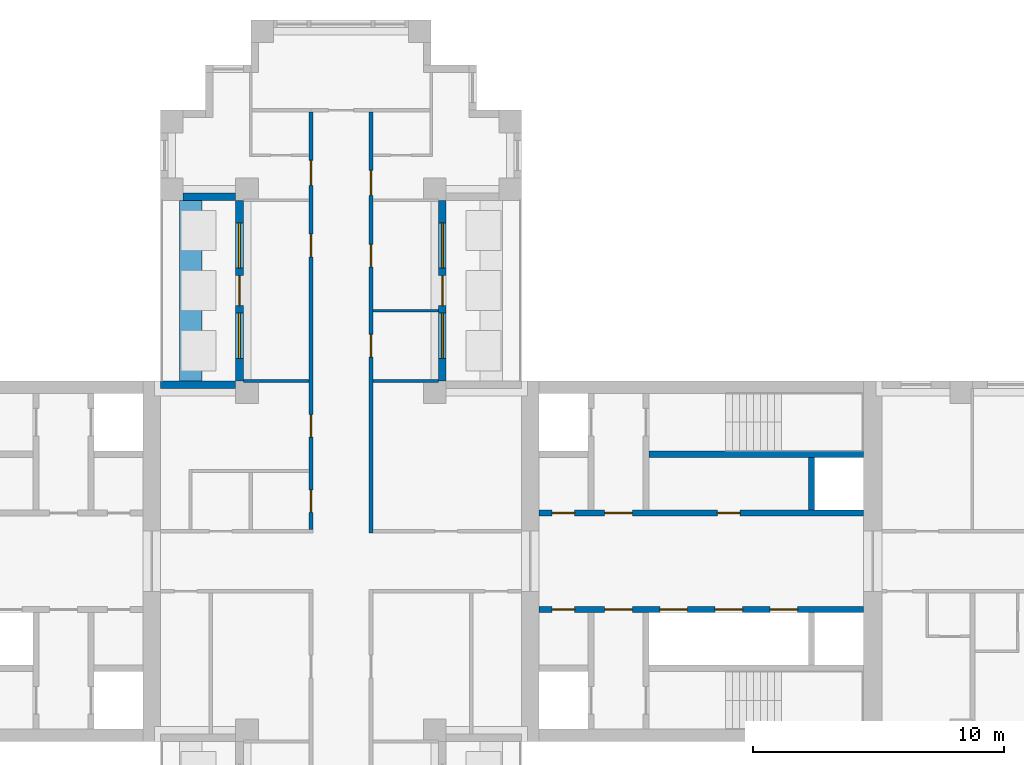
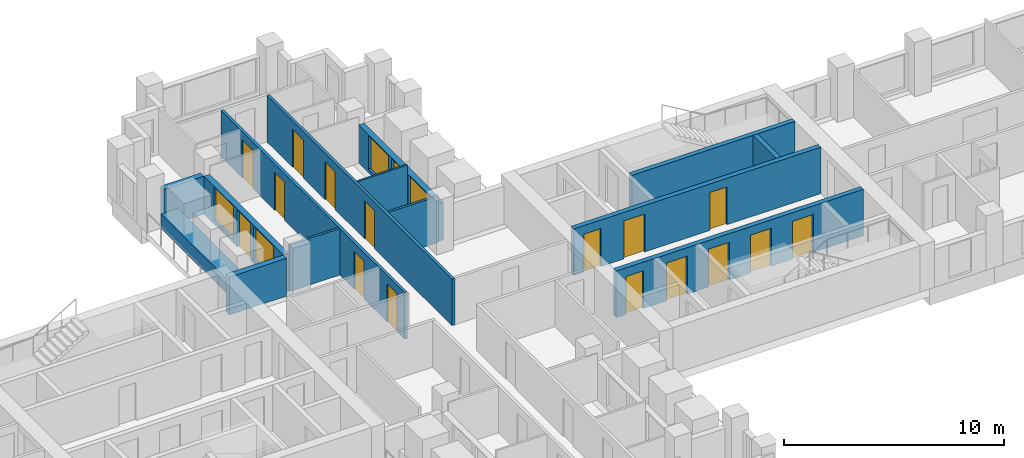
# One storey, part 9 of 14: 17 doors, 14 walls, 4 windows, 21 openings.
"""IFC4 building model written with IfcOpenShell, lengths in metres."""

from ifc_helpers import new_model, si_unit, direction, frame, frame_2d, origin, place, context, subcontext, project, spatial, rectangle, extrude, material, layer, layer_set, type_object, element, fill, save


model = new_model("IFC4")

# Units and contexts
model_context = context("Model", 3, precision=1e-05, world=origin(), true_north=direction((0.0, 1.0)))
body_context = subcontext(model_context, "Body", "Model", "MODEL_VIEW")
ifc_project = project(units=[si_unit("LENGTHUNIT", "METRE"), si_unit("AREAUNIT", "SQUARE_METRE"), si_unit("VOLUMEUNIT", "CUBIC_METRE"), si_unit("PLANEANGLEUNIT", "RADIAN"), si_unit("MASSUNIT", "GRAM", prefix="KILO")], contexts=[model_context])

# Site, building, storey
site_placement = place(None, origin())
site = spatial("IfcSite", under=ifc_project, at=site_placement, CompositionType="ELEMENT")
building_placement = place(site_placement, origin())
building = spatial("IfcBuilding", under=site, at=building_placement, Name="Fustian Cross Tower", CompositionType="ELEMENT")
storey_placement = place(building_placement, frame((0.0, 0.0, 72.89990234375)))
storey = spatial("IfcBuildingStorey", under=building, at=storey_placement, Name="L22", CompositionType="ELEMENT", Elevation=72.89990234375)

# Wall, openings, doors
ifc_material_1 = material(Name="Plasterboard on steel stud", Category="steel")
ifc_layer_1 = layer(ifc_material_1, 0.14990234375)
ifc_layer_set_1 = layer_set([ifc_layer_1], Name="Plasterboard on steel stud")
wall_type_1 = type_object("IfcWallType", Name="COMPARTMENT WALL 150 EI 60", PredefinedType="PARTITIONING", material=ifc_layer_set_1)
wall_1_placement = place(storey_placement, frame((-1.199951171875, 1.27490234375, 0.0), z_axis=(0.0, 0.0, 1.0), x_axis=(0.0, 1.0, 0.0)))
wall_1 = element("IfcWall", 1, at=wall_1_placement, inside=storey, type_object=wall_type_1, Name="Partition 50", PredefinedType="PARTITIONING", context=body_context, shape_type="SweptSolid", body=[
    extrude(rectangle(XDim=16.650146484375, YDim=0.14990234375, at=frame_2d((8.3251953125, 0.0))), origin(), (0.0, 0.0, 1.0), 2.5751953125),
])
opening_1_placement = place(wall_1_placement, frame((0.675048828125, 0.0, 0.0)))
opening_1 = element("IfcOpeningElement", 2, at=opening_1_placement, cuts=wall_1, Name="Opening D11002", PredefinedType="OPENING", context=body_context, shape_type="SweptSolid", body=[
    extrude(rectangle(XDim=0.89990234375, YDim=2.10009765625, at=frame_2d((0.449951171875, 1.050048828125))), frame((0.0, 0.0849609375, 0.0), z_axis=(0.0, -1.0, 0.0), x_axis=(1.0, 0.0, 0.0)), (0.0, 0.0, 1.0), 0.169921875),
])
opening_2_placement = place(wall_1_placement, frame((3.675048828125, 0.0, 0.0)))
opening_2 = element("IfcOpeningElement", 3, at=opening_2_placement, cuts=wall_1, Name="Opening D11004", PredefinedType="OPENING", context=body_context, shape_type="SweptSolid", body=[
    extrude(rectangle(XDim=0.89990234375, YDim=2.10009765625, at=frame_2d((0.449951171875, 1.050048828125))), frame((0.0, 0.0849609375, 0.0), z_axis=(0.0, -1.0, 0.0), x_axis=(1.0, 0.0, 0.0)), (0.0, 0.0, 1.0), 0.169921875),
])
opening_3_placement = place(wall_1_placement, frame((10.875, 0.0, 0.0)))
opening_3 = element("IfcOpeningElement", 4, at=opening_3_placement, cuts=wall_1, Name="Opening D11018", PredefinedType="OPENING", context=body_context, shape_type="SweptSolid", body=[
    extrude(rectangle(XDim=0.89990234375, YDim=2.10009765625, at=frame_2d((0.449951171875, 1.050048828125))), frame((0.0, 0.0849609375, 0.0), z_axis=(0.0, -1.0, 0.0), x_axis=(1.0, 0.0, 0.0)), (0.0, 0.0, 1.0), 0.169921875),
])
opening_4_placement = place(wall_1_placement, frame((13.72509765625, 0.0, 0.0)))
opening_4 = element("IfcOpeningElement", 5, at=opening_4_placement, cuts=wall_1, Name="Opening D11020", PredefinedType="OPENING", context=body_context, shape_type="SweptSolid", body=[
    extrude(rectangle(XDim=1.0, YDim=2.10009765625, at=frame_2d((0.5, 1.050048828125))), frame((0.0, 0.0849609375, 0.0), z_axis=(0.0, -1.0, 0.0), x_axis=(1.0, 0.0, 0.0)), (0.0, 0.0, 1.0), 0.169921875),
])
ifc_material_2 = material(Name="Timber fire door set", Category="wood")
door_type_1 = type_object("IfcDoorType", Name="FIRE SWING DOOR 1000 FD30S", OperationType="SINGLE_SWING_LEFT", PredefinedType="DOOR", material=ifc_material_2)
door_1_placement = place(opening_4_placement, origin())
door_1 = element("IfcDoor", 6, at=door_1_placement, inside=storey, type_object=door_type_1, Name="Door D11020", OperationType="SINGLE_SWING_RIGHT", OverallHeight=2.10009765625, OverallWidth=1.0, PredefinedType="DOOR", context=body_context, shape_type="SweptSolid", body=[
    extrude(rectangle(XDim=1.0, YDim=2.10009765625, at=frame_2d((0.5, 1.050048828125))), frame((0.0, 0.02490234375, 0.0), z_axis=(0.0, -1.0, 0.0), x_axis=(1.0, 0.0, 0.0)), (0.0, 0.0, 1.0), 0.050048828125),
])
fill(opening_4, door_1)
ifc_material_3 = material(Name="Timber fire door set", Category="wood")
door_type_2 = type_object("IfcDoorType", Name="FIRE SWING DOOR 900 FD30S", OperationType="SINGLE_SWING_LEFT", PredefinedType="DOOR", material=ifc_material_3)
door_2_placement = place(opening_1_placement, origin())
door_2 = element("IfcDoor", 7, at=door_2_placement, inside=storey, type_object=door_type_2, Name="Door D11002", OperationType="SINGLE_SWING_LEFT", OverallHeight=2.10009765625, OverallWidth=0.89990234375, PredefinedType="DOOR", context=body_context, shape_type="SweptSolid", body=[
    extrude(rectangle(XDim=0.89990234375, YDim=2.10009765625, at=frame_2d((0.449951171875, 1.050048828125))), frame((0.0, 0.02490234375, 0.0), z_axis=(0.0, -1.0, 0.0), x_axis=(1.0, 0.0, 0.0)), (0.0, 0.0, 1.0), 0.050048828125),
])
fill(opening_1, door_2)
door_3_placement = place(opening_2_placement, origin())
door_3 = element("IfcDoor", 8, at=door_3_placement, inside=storey, type_object=door_type_2, Name="Door D11004", OperationType="SINGLE_SWING_LEFT", OverallHeight=2.10009765625, OverallWidth=0.89990234375, PredefinedType="DOOR", context=body_context, shape_type="SweptSolid", body=[
    extrude(rectangle(XDim=0.89990234375, YDim=2.10009765625, at=frame_2d((0.449951171875, 1.050048828125))), frame((0.0, 0.02490234375, 0.0), z_axis=(0.0, -1.0, 0.0), x_axis=(1.0, 0.0, 0.0)), (0.0, 0.0, 1.0), 0.050048828125),
])
fill(opening_2, door_3)
door_4_placement = place(opening_3_placement, origin())
door_4 = element("IfcDoor", 9, at=door_4_placement, inside=storey, type_object=door_type_2, Name="Door D11018", OperationType="SINGLE_SWING_RIGHT", OverallHeight=2.10009765625, OverallWidth=0.89990234375, PredefinedType="DOOR", context=body_context, shape_type="SweptSolid", body=[
    extrude(rectangle(XDim=0.89990234375, YDim=2.10009765625, at=frame_2d((0.449951171875, 1.050048828125))), frame((0.0, 0.02490234375, 0.0), z_axis=(0.0, -1.0, 0.0), x_axis=(1.0, 0.0, 0.0)), (0.0, 0.0, 1.0), 0.050048828125),
])
fill(opening_3, door_4)

wall_2_placement = place(storey_placement, frame((1.199951171875, 1.125, 0.0), z_axis=(0.0, 0.0, 1.0), x_axis=(0.0, 1.0, 0.0)))
wall_2 = element("IfcWall", 10, at=wall_2_placement, inside=storey, type_object=wall_type_1, Name="Partition 60", PredefinedType="PARTITIONING", context=body_context, shape_type="SweptSolid", body=[
    extrude(rectangle(XDim=16.800048828125, YDim=0.14990234375, at=frame_2d((8.39990234375, 0.0))), origin(), (0.0, 0.0, 1.0), 2.5751953125),
])
opening_5_placement = place(wall_2_placement, frame((7.02490234375, 0.0, 0.0)))
opening_5 = element("IfcOpeningElement", 11, at=opening_5_placement, cuts=wall_2, Name="Opening D11021", PredefinedType="OPENING", context=body_context, shape_type="SweptSolid", body=[
    extrude(rectangle(XDim=0.89990234375, YDim=2.10009765625, at=frame_2d((0.449951171875, 1.050048828125))), frame((0.0, 0.0849609375, 0.0), z_axis=(0.0, -1.0, 0.0), x_axis=(1.0, 0.0, 0.0)), (0.0, 0.0, 1.0), 0.169921875),
])
opening_6_placement = place(wall_2_placement, frame((10.625, 0.0, 0.0)))
opening_6 = element("IfcOpeningElement", 12, at=opening_6_placement, cuts=wall_2, Name="Opening D11022", PredefinedType="OPENING", context=body_context, shape_type="SweptSolid", body=[
    extrude(rectangle(XDim=0.89990234375, YDim=2.10009765625, at=frame_2d((0.449951171875, 1.050048828125))), frame((0.0, 0.0849609375, 0.0), z_axis=(0.0, -1.0, 0.0), x_axis=(1.0, 0.0, 0.0)), (0.0, 0.0, 1.0), 0.169921875),
])
opening_7_placement = place(wall_2_placement, frame((13.47509765625, 0.0, 0.0)))
opening_7 = element("IfcOpeningElement", 13, at=opening_7_placement, cuts=wall_2, Name="Opening D11024", PredefinedType="OPENING", context=body_context, shape_type="SweptSolid", body=[
    extrude(rectangle(XDim=1.0, YDim=2.10009765625, at=frame_2d((0.5, 1.050048828125))), frame((0.0, 0.0849609375, 0.0), z_axis=(0.0, -1.0, 0.0), x_axis=(1.0, 0.0, 0.0)), (0.0, 0.0, 1.0), 0.169921875),
])
door_5_placement = place(opening_7_placement, frame((1.0, 0.0, 0.0), z_axis=(0.0, 0.0, 1.0), x_axis=(-1.0, 0.0, 0.0)))
door_5 = element("IfcDoor", 14, at=door_5_placement, inside=storey, type_object=door_type_1, Name="Door D11024", OperationType="SINGLE_SWING_RIGHT", OverallHeight=2.10009765625, OverallWidth=1.0, PredefinedType="DOOR", context=body_context, shape_type="SweptSolid", body=[
    extrude(rectangle(XDim=1.0, YDim=2.10009765625, at=frame_2d((0.5, 1.050048828125))), frame((0.0, 0.02490234375, 0.0), z_axis=(0.0, -1.0, 0.0), x_axis=(1.0, 0.0, 0.0)), (0.0, 0.0, 1.0), 0.050048828125),
])
fill(opening_7, door_5)
door_6_placement = place(opening_5_placement, frame((0.89990234375, 0.0, 0.0), z_axis=(0.0, 0.0, 1.0), x_axis=(-1.0, 0.0, 0.0)))
door_6 = element("IfcDoor", 15, at=door_6_placement, inside=storey, type_object=door_type_2, Name="Door D11021", OperationType="SINGLE_SWING_RIGHT", OverallHeight=2.10009765625, OverallWidth=0.89990234375, PredefinedType="DOOR", context=body_context, shape_type="SweptSolid", body=[
    extrude(rectangle(XDim=0.89990234375, YDim=2.10009765625, at=frame_2d((0.449951171875, 1.050048828125))), frame((0.0, 0.02490234375, 0.0), z_axis=(0.0, -1.0, 0.0), x_axis=(1.0, 0.0, 0.0)), (0.0, 0.0, 1.0), 0.050048828125),
])
fill(opening_5, door_6)
door_7_placement = place(opening_6_placement, frame((0.89990234375, 0.0, 0.0), z_axis=(0.0, 0.0, 1.0), x_axis=(-1.0, 0.0, 0.0)))
door_7 = element("IfcDoor", 16, at=door_7_placement, inside=storey, type_object=door_type_2, Name="Door D11022", OperationType="SINGLE_SWING_RIGHT", OverallHeight=2.10009765625, OverallWidth=0.89990234375, PredefinedType="DOOR", context=body_context, shape_type="SweptSolid", body=[
    extrude(rectangle(XDim=0.89990234375, YDim=2.10009765625, at=frame_2d((0.449951171875, 1.050048828125))), frame((0.0, 0.02490234375, 0.0), z_axis=(0.0, -1.0, 0.0), x_axis=(1.0, 0.0, 0.0)), (0.0, 0.0, 1.0), 0.050048828125),
])
fill(opening_6, door_7)

ifc_material_4 = material(Name="Concrete C50/60", Category="concrete")
ifc_layer_2 = layer(ifc_material_4, 0.25)
ifc_layer_set_2 = layer_set([ifc_layer_2], Name="Concrete C50/60")
wall_type_2 = type_object("IfcWallType", Name="CORE LOBBY WALL 250 C50/60", PredefinedType="SHEAR", material=ifc_layer_set_2)
wall_3_placement = place(storey_placement, frame((7.89990234375, 1.925048828125, 0.0), z_axis=(0.0, 0.0, 1.0), x_axis=(1.0, 0.0, 0.0)))
wall_3 = element("IfcWall", 17, at=wall_3_placement, inside=storey, type_object=wall_type_2, Name="Core lobby wall", PredefinedType="SHEAR", context=body_context, shape_type="SweptSolid", body=[
    extrude(rectangle(XDim=12.9501953125, YDim=0.25, at=frame_2d((6.47509765625, 0.0))), origin(), (0.0, 0.0, 1.0), 2.5751953125),
])
opening_8_placement = place(wall_3_placement, frame((0.52490234375, 0.0, 0.0)))
opening_8 = element("IfcOpeningElement", 18, at=opening_8_placement, cuts=wall_3, Name="Opening CD-09-08", PredefinedType="OPENING", context=body_context, shape_type="SweptSolid", body=[
    extrude(rectangle(XDim=0.89990234375, YDim=2.10009765625, at=frame_2d((0.449951171875, 1.050048828125))), frame((0.0, 0.135009765625, 0.0), z_axis=(0.0, -1.0, 0.0), x_axis=(1.0, 0.0, 0.0)), (0.0, 0.0, 1.0), 0.27001953125),
])
opening_9_placement = place(wall_3_placement, frame((2.625, 0.0, 0.0)))
opening_9 = element("IfcOpeningElement", 19, at=opening_9_placement, cuts=wall_3, Name="Opening CD-09-10", PredefinedType="OPENING", context=body_context, shape_type="SweptSolid", body=[
    extrude(rectangle(XDim=1.10009765625, YDim=2.10009765625, at=frame_2d((0.550048828125, 1.050048828125))), frame((0.0, 0.135009765625, 0.0), z_axis=(0.0, -1.0, 0.0), x_axis=(1.0, 0.0, 0.0)), (0.0, 0.0, 1.0), 0.27001953125),
])
opening_10_placement = place(wall_3_placement, frame((7.125, 0.0, 0.0)))
opening_10 = element("IfcOpeningElement", 20, at=opening_10_placement, cuts=wall_3, Name="Opening CD-09-14", PredefinedType="OPENING", context=body_context, shape_type="SweptSolid", body=[
    extrude(rectangle(XDim=0.89990234375, YDim=2.10009765625, at=frame_2d((0.449951171875, 1.050048828125))), frame((0.0, 0.135009765625, 0.0), z_axis=(0.0, -1.0, 0.0), x_axis=(1.0, 0.0, 0.0)), (0.0, 0.0, 1.0), 0.27001953125),
])
ifc_material_5 = material(Name="Steel", Category="steel")
door_type_3 = type_object("IfcDoorType", Name="FIRE DOOR FD30S 900X2100", OperationType="SINGLE_SWING_LEFT", PredefinedType="DOOR", material=ifc_material_5)
door_8_placement = place(opening_10_placement, origin())
door_8 = element("IfcDoor", 21, at=door_8_placement, inside=storey, type_object=door_type_3, Name="Core door CD-09-14", OperationType="SINGLE_SWING_LEFT", OverallHeight=2.10009765625, OverallWidth=0.89990234375, PredefinedType="DOOR", context=body_context, shape_type="SweptSolid", body=[
    extrude(rectangle(XDim=0.89990234375, YDim=2.10009765625, at=frame_2d((0.449951171875, 1.050048828125))), frame((0.0, 0.02490234375, 0.0), z_axis=(0.0, -1.0, 0.0), x_axis=(1.0, 0.0, 0.0)), (0.0, 0.0, 1.0), 0.050048828125),
])
fill(opening_10, door_8)
ifc_material_6 = material(Name="Steel", Category="steel")
door_type_4 = type_object("IfcDoorType", Name="FIRE DOOR FD60S 1100X2100", OperationType="SINGLE_SWING_LEFT", PredefinedType="DOOR", material=ifc_material_6)
door_9_placement = place(opening_9_placement, frame((1.10009765625, 0.0, 0.0), z_axis=(0.0, 0.0, 1.0), x_axis=(-1.0, 0.0, 0.0)))
door_9 = element("IfcDoor", 22, at=door_9_placement, inside=storey, type_object=door_type_4, Name="Core door CD-09-10", OperationType="SINGLE_SWING_RIGHT", OverallHeight=2.10009765625, OverallWidth=1.10009765625, PredefinedType="DOOR", context=body_context, shape_type="SweptSolid", body=[
    extrude(rectangle(XDim=1.10009765625, YDim=2.10009765625, at=frame_2d((0.550048828125, 1.050048828125))), frame((0.0, 0.02490234375, 0.0), z_axis=(0.0, -1.0, 0.0), x_axis=(1.0, 0.0, 0.0)), (0.0, 0.0, 1.0), 0.050048828125),
])
fill(opening_9, door_9)
ifc_material_7 = material(Name="Steel", Category="steel")
door_type_5 = type_object("IfcDoorType", Name="FIRE DOOR FD60S 900X2100", OperationType="SINGLE_SWING_LEFT", PredefinedType="DOOR", material=ifc_material_7)
door_10_placement = place(opening_8_placement, origin())
door_10 = element("IfcDoor", 23, at=door_10_placement, inside=storey, type_object=door_type_5, Name="Core door CD-09-08", OperationType="SINGLE_SWING_LEFT", OverallHeight=2.10009765625, OverallWidth=0.89990234375, PredefinedType="DOOR", context=body_context, shape_type="SweptSolid", body=[
    extrude(rectangle(XDim=0.89990234375, YDim=2.10009765625, at=frame_2d((0.449951171875, 1.050048828125))), frame((0.0, 0.02490234375, 0.0), z_axis=(0.0, -1.0, 0.0), x_axis=(1.0, 0.0, 0.0)), (0.0, 0.0, 1.0), 0.050048828125),
])
fill(opening_8, door_10)

wall_4_placement = place(storey_placement, frame((7.89990234375, -1.925048828125, 0.0), z_axis=(0.0, 0.0, 1.0), x_axis=(1.0, 0.0, 0.0)))
wall_4 = element("IfcWall", 24, at=wall_4_placement, inside=storey, type_object=wall_type_2, Name="Core lobby wall", PredefinedType="SHEAR", context=body_context, shape_type="SweptSolid", body=[
    extrude(rectangle(XDim=12.9501953125, YDim=0.25, at=frame_2d((6.47509765625, 0.0))), origin(), (0.0, 0.0, 1.0), 2.5751953125),
])
opening_11_placement = place(wall_4_placement, frame((4.824951171875, 0.0, 0.0)))
opening_11 = element("IfcOpeningElement", 25, at=opening_11_placement, cuts=wall_4, Name="Opening LD", PredefinedType="OPENING", context=body_context, shape_type="SweptSolid", body=[
    extrude(rectangle(XDim=1.10009765625, YDim=2.10009765625, at=frame_2d((0.550048828125, 1.050048828125))), frame((0.0, 0.135009765625, 0.0), z_axis=(0.0, -1.0, 0.0), x_axis=(1.0, 0.0, 0.0)), (0.0, 0.0, 1.0), 0.27001953125),
])
opening_12_placement = place(wall_4_placement, frame((7.02490234375, 0.0, 0.0)))
opening_12 = element("IfcOpeningElement", 26, at=opening_12_placement, cuts=wall_4, Name="Opening LD", PredefinedType="OPENING", context=body_context, shape_type="SweptSolid", body=[
    extrude(rectangle(XDim=1.10009765625, YDim=2.10009765625, at=frame_2d((0.550048828125, 1.050048828125))), frame((0.0, 0.135009765625, 0.0), z_axis=(0.0, -1.0, 0.0), x_axis=(1.0, 0.0, 0.0)), (0.0, 0.0, 1.0), 0.27001953125),
])
opening_13_placement = place(wall_4_placement, frame((9.22509765625, 0.0, 0.0)))
opening_13 = element("IfcOpeningElement", 27, at=opening_13_placement, cuts=wall_4, Name="Opening LD", PredefinedType="OPENING", context=body_context, shape_type="SweptSolid", body=[
    extrude(rectangle(XDim=1.10009765625, YDim=2.10009765625, at=frame_2d((0.550048828125, 1.050048828125))), frame((0.0, 0.135009765625, 0.0), z_axis=(0.0, -1.0, 0.0), x_axis=(1.0, 0.0, 0.0)), (0.0, 0.0, 1.0), 0.27001953125),
])
opening_14_placement = place(wall_4_placement, frame((0.52490234375, 0.0, 0.0)))
opening_14 = element("IfcOpeningElement", 28, at=opening_14_placement, cuts=wall_4, Name="Opening CD-09-09", PredefinedType="OPENING", context=body_context, shape_type="SweptSolid", body=[
    extrude(rectangle(XDim=0.89990234375, YDim=2.10009765625, at=frame_2d((0.449951171875, 1.050048828125))), frame((0.0, 0.135009765625, 0.0), z_axis=(0.0, -1.0, 0.0), x_axis=(1.0, 0.0, 0.0)), (0.0, 0.0, 1.0), 0.27001953125),
])
opening_15_placement = place(wall_4_placement, frame((2.625, 0.0, 0.0)))
opening_15 = element("IfcOpeningElement", 29, at=opening_15_placement, cuts=wall_4, Name="Opening CD-09-11", PredefinedType="OPENING", context=body_context, shape_type="SweptSolid", body=[
    extrude(rectangle(XDim=1.10009765625, YDim=2.10009765625, at=frame_2d((0.550048828125, 1.050048828125))), frame((0.0, 0.135009765625, 0.0), z_axis=(0.0, -1.0, 0.0), x_axis=(1.0, 0.0, 0.0)), (0.0, 0.0, 1.0), 0.27001953125),
])
ifc_material_8 = material(Name="Steel", Category="steel")
door_type_6 = type_object("IfcDoorType", Name="FIRE DOOR FD30S 1100X2100", OperationType="SINGLE_SWING_LEFT", PredefinedType="DOOR", material=ifc_material_8)
door_11_placement = place(opening_15_placement, frame((1.10009765625, 0.0, 0.0), z_axis=(0.0, 0.0, 1.0), x_axis=(-1.0, 0.0, 0.0)))
door_11 = element("IfcDoor", 30, at=door_11_placement, inside=storey, type_object=door_type_6, Name="Core door CD-09-11", OperationType="SINGLE_SWING_RIGHT", OverallHeight=2.10009765625, OverallWidth=1.10009765625, PredefinedType="DOOR", context=body_context, shape_type="SweptSolid", body=[
    extrude(rectangle(XDim=1.10009765625, YDim=2.10009765625, at=frame_2d((0.550048828125, 1.050048828125))), frame((0.0, 0.02490234375, 0.0), z_axis=(0.0, -1.0, 0.0), x_axis=(1.0, 0.0, 0.0)), (0.0, 0.0, 1.0), 0.050048828125),
])
fill(opening_15, door_11)
door_12_placement = place(opening_14_placement, frame((0.89990234375, 0.0, 0.0), z_axis=(0.0, 0.0, 1.0), x_axis=(-1.0, 0.0, 0.0)))
door_12 = element("IfcDoor", 31, at=door_12_placement, inside=storey, type_object=door_type_3, Name="Core door CD-09-09", OperationType="SINGLE_SWING_RIGHT", OverallHeight=2.10009765625, OverallWidth=0.89990234375, PredefinedType="DOOR", context=body_context, shape_type="SweptSolid", body=[
    extrude(rectangle(XDim=0.89990234375, YDim=2.10009765625, at=frame_2d((0.449951171875, 1.050048828125))), frame((0.0, 0.02490234375, 0.0), z_axis=(0.0, -1.0, 0.0), x_axis=(1.0, 0.0, 0.0)), (0.0, 0.0, 1.0), 0.050048828125),
])
fill(opening_14, door_12)
ifc_material_9 = material(Name="Stainless steel", Category="steel")
door_type_7 = type_object("IfcDoorType", Name="LIFT LANDING DOOR 1100X2100", OperationType="SLIDING_TO_LEFT", PredefinedType="DOOR", material=ifc_material_9)
door_13_placement = place(opening_11_placement, origin())
door_13 = element("IfcDoor", 32, at=door_13_placement, inside=storey, type_object=door_type_7, Name="Landing door LR1", OperationType="SLIDING_TO_LEFT", OverallHeight=2.10009765625, OverallWidth=1.10009765625, PredefinedType="DOOR", context=body_context, shape_type="SweptSolid", body=[
    extrude(rectangle(XDim=1.10009765625, YDim=2.10009765625, at=frame_2d((0.550048828125, 1.050048828125))), frame((0.0, 0.02490234375, 0.0), z_axis=(0.0, -1.0, 0.0), x_axis=(1.0, 0.0, 0.0)), (0.0, 0.0, 1.0), 0.050048828125),
])
fill(opening_11, door_13)
door_14_placement = place(opening_12_placement, origin())
door_14 = element("IfcDoor", 33, at=door_14_placement, inside=storey, type_object=door_type_7, Name="Landing door LR2", OperationType="SLIDING_TO_LEFT", OverallHeight=2.10009765625, OverallWidth=1.10009765625, PredefinedType="DOOR", context=body_context, shape_type="SweptSolid", body=[
    extrude(rectangle(XDim=1.10009765625, YDim=2.10009765625, at=frame_2d((0.550048828125, 1.050048828125))), frame((0.0, 0.02490234375, 0.0), z_axis=(0.0, -1.0, 0.0), x_axis=(1.0, 0.0, 0.0)), (0.0, 0.0, 1.0), 0.050048828125),
])
fill(opening_12, door_14)
door_15_placement = place(opening_13_placement, origin())
door_15 = element("IfcDoor", 34, at=door_15_placement, inside=storey, type_object=door_type_7, Name="Landing door LR3", OperationType="SLIDING_TO_LEFT", OverallHeight=2.10009765625, OverallWidth=1.10009765625, PredefinedType="DOOR", context=body_context, shape_type="SweptSolid", body=[
    extrude(rectangle(XDim=1.10009765625, YDim=2.10009765625, at=frame_2d((0.550048828125, 1.050048828125))), frame((0.0, 0.02490234375, 0.0), z_axis=(0.0, -1.0, 0.0), x_axis=(1.0, 0.0, 0.0)), (0.0, 0.0, 1.0), 0.050048828125),
])
fill(opening_13, door_15)

# Walls
ifc_material_10 = material(Name="Concrete C50/60", Category="concrete")
ifc_layer_3 = layer(ifc_material_10, 0.25)
ifc_layer_set_3 = layer_set([ifc_layer_3], Name="Concrete C50/60")
wall_type_3 = type_object("IfcWallType", Name="CORE SHAFT WALL 250 C50/60", PredefinedType="SHEAR", material=ifc_layer_set_3)
wall_5_placement = place(storey_placement, frame((12.300048828125, 4.27490234375, 0.0), z_axis=(0.0, 0.0, 1.0), x_axis=(1.0, 0.0, 0.0)))
element("IfcWall", 35, at=wall_5_placement, inside=storey, type_object=wall_type_3, Name="Core shaft wall", PredefinedType="SHEAR", context=body_context, shape_type="SweptSolid", body=[
    extrude(rectangle(XDim=8.550048828125, YDim=0.25, at=frame_2d((4.27490234375, 0.0))), origin(), (0.0, 0.0, 1.0), 2.5751953125),
])
ifc_material_11 = material(Name="Plasterboard on steel stud", Category="steel")
ifc_layer_4 = layer(ifc_material_11, 0.10009765625)
ifc_layer_set_4 = layer_set([ifc_layer_4], Name="Plasterboard on steel stud")
wall_type_4 = type_object("IfcWallType", Name="PARTITION 100 STUD", PredefinedType="PARTITIONING", material=ifc_layer_set_4)
wall_6_placement = place(storey_placement, frame((1.27490234375, 10.0, 0.0), z_axis=(0.0, 0.0, 1.0), x_axis=(1.0, 0.0, 0.0)))
element("IfcWall", 36, at=wall_6_placement, inside=storey, type_object=wall_type_4, Name="Partition 63", PredefinedType="PARTITIONING", context=body_context, shape_type="SweptSolid", body=[
    extrude(rectangle(XDim=2.625, YDim=0.10009765625, at=frame_2d((1.3125, 0.0))), origin(), (0.0, 0.0, 1.0), 2.5751953125),
])
ifc_material_12 = material(Name="Concrete C40/50", Category="concrete")
ifc_layer_5 = layer(ifc_material_12, 0.89990234375)
ifc_layer_set_5 = layer_set([ifc_layer_5], Name="Concrete C40/50")
wall_type_5 = type_object("IfcWallType", Name="PK1 PLANTER 900", PredefinedType="PARAPET", material=ifc_layer_set_5)
wall_7_placement = place(storey_placement, frame((-6.0, 7.199951171875, 0.0), z_axis=(0.0, 0.0, 1.0), x_axis=(0.0, 1.0, 0.0)))
element("IfcWall", 37, at=wall_7_placement, inside=storey, type_object=wall_type_5, Name="PLANTER", PredefinedType="PARAPET", context=body_context, shape_type="SweptSolid", body=[
    extrude(rectangle(XDim=7.199951171875, YDim=0.89990234375, at=frame_2d((3.60009765625, 0.0))), origin(), (0.0, 0.0, 1.0), 0.800048828125),
])
ifc_material_13 = material(Name="Concrete C40/50", Category="concrete")
ifc_layer_6 = layer(ifc_material_13, 0.25)
ifc_layer_set_6 = layer_set([ifc_layer_6], Name="Concrete C40/50")
wall_type_6 = type_object("IfcWallType", Name="SHAFT PARTITION WALL 250 C40/50", PredefinedType="PARTITIONING", material=ifc_layer_set_6)
wall_8_placement = place(storey_placement, frame((18.77490234375, 2.050048828125, 0.0), z_axis=(0.0, 0.0, 1.0), x_axis=(0.0, 1.0, 0.0)))
element("IfcWall", 38, at=wall_8_placement, inside=storey, type_object=wall_type_6, Name="Core shaft wall", PredefinedType="PARTITIONING", context=body_context, shape_type="SweptSolid", body=[
    extrude(rectangle(XDim=2.099853515625, YDim=0.25, at=frame_2d((1.0498046875, 0.0))), origin(), (0.0, 0.0, 1.0), 2.5751953125),
])
ifc_material_14 = material(Name="Plasterboard on steel stud", Category="steel")
ifc_layer_7 = layer(ifc_material_14, 0.125)
ifc_layer_set_7 = layer_set([ifc_layer_7], Name="Plasterboard on steel stud")
wall_type_7 = type_object("IfcWallType", Name="WET WALL 125 STUD", PredefinedType="PARTITIONING", material=ifc_layer_set_7)
for number, where, z_axis, x_axis, name in (
    (39, (-3.89990234375, 7.199951171875, 0.0), (0.0, 0.0, 1.0), (1.0, 0.0, 0.0), "Partition 41"),
    (40, (1.27490234375, 7.199951171875, 0.0), (0.0, 0.0, 1.0), (1.0, 0.0, 0.0), "Partition 62"),
):
    element("IfcWall", number, at=place(storey_placement, frame(where, z_axis=z_axis, x_axis=x_axis)), inside=storey, type_object=wall_type_7, Name=name, PredefinedType="PARTITIONING", context=body_context, shape_type="SweptSolid", body=[
        extrude(rectangle(XDim=2.625, YDim=0.125, at=frame_2d((1.3125, 0.0))), origin(), (0.0, 0.0, 1.0), 2.5751953125),
    ])

# Wall, openings, door, windows
ifc_material_15 = material(Name="Dark aluminium cladding on insulated backing wall", Category="aluminium")
ifc_layer_8 = layer(ifc_material_15, 0.300048828125)
ifc_layer_set_8 = layer_set([ifc_layer_8], Name="Dark aluminium cladding on insulated backing wall")
wall_type_8 = type_object("IfcWallType", Name="XW1 EXTERNAL WALL 300", PredefinedType="SOLIDWALL", material=ifc_layer_set_8)
wall_9_placement = place(storey_placement, frame((4.050048828125, 7.199951171875, 0.0), z_axis=(0.0, 0.0, 1.0), x_axis=(0.0, 1.0, 0.0)))
wall_9 = element("IfcWall", 41, at=wall_9_placement, inside=storey, type_object=wall_type_8, Name="External wall", PredefinedType="SOLIDWALL", context=body_context, shape_type="SweptSolid", body=[
    extrude(rectangle(XDim=7.199951171875, YDim=0.300048828125, at=frame_2d((3.60009765625, 0.0))), origin(), (0.0, 0.0, 1.0), 2.10009765625),
])
opening_16_placement = place(wall_9_placement, frame((3.0, 0.0, 0.0)))
opening_16 = element("IfcOpeningElement", 42, at=opening_16_placement, cuts=wall_9, Name="Opening XD1", PredefinedType="OPENING", context=body_context, shape_type="SweptSolid", body=[
    extrude(rectangle(XDim=1.199951171875, YDim=2.050048828125, at=frame_2d((0.60009765625, 1.02490234375))), frame((0.0, 0.159912109375, 0.0), z_axis=(0.0, -1.0, 0.0), x_axis=(1.0, 0.0, 0.0)), (0.0, 0.0, 1.0), 0.320068359375),
])
opening_17_placement = place(wall_9_placement, frame((0.89990234375, 0.0, 0.199951171875)))
opening_17 = element("IfcOpeningElement", 43, at=opening_17_placement, cuts=wall_9, Name="Opening WN2", PredefinedType="OPENING", context=body_context, shape_type="SweptSolid", body=[
    extrude(rectangle(XDim=1.800048828125, YDim=1.85009765625, at=frame_2d((0.89990234375, 0.925048828125))), frame((0.0, 0.159912109375, 0.0), z_axis=(0.0, -1.0, 0.0), x_axis=(1.0, 0.0, 0.0)), (0.0, 0.0, 1.0), 0.320068359375),
])
opening_18_placement = place(wall_9_placement, frame((4.5, 0.0, 0.199951171875)))
opening_18 = element("IfcOpeningElement", 44, at=opening_18_placement, cuts=wall_9, Name="Opening WN2", PredefinedType="OPENING", context=body_context, shape_type="SweptSolid", body=[
    extrude(rectangle(XDim=1.800048828125, YDim=1.85009765625, at=frame_2d((0.89990234375, 0.925048828125))), frame((0.0, 0.159912109375, 0.0), z_axis=(0.0, -1.0, 0.0), x_axis=(1.0, 0.0, 0.0)), (0.0, 0.0, 1.0), 0.320068359375),
])
ifc_material_16 = material(Name="Dark anodised aluminium and double glazing", Category="aluminium")
door_type_8 = type_object("IfcDoorType", Name="ED1 BALCONY DOOR 1200X2050", OperationType="SINGLE_SWING_LEFT", PredefinedType="DOOR", material=ifc_material_16)
door_16_placement = place(opening_16_placement, origin())
door_16 = element("IfcDoor", 45, at=door_16_placement, inside=storey, type_object=door_type_8, Name="Balcony door", OperationType="SINGLE_SWING_LEFT", OverallHeight=2.050048828125, OverallWidth=1.199951171875, PredefinedType="DOOR", context=body_context, shape_type="SweptSolid", body=[
    extrude(rectangle(XDim=1.199951171875, YDim=2.050048828125, at=frame_2d((0.60009765625, 1.02490234375))), frame((0.0, 0.02490234375, 0.0), z_axis=(0.0, -1.0, 0.0), x_axis=(1.0, 0.0, 0.0)), (0.0, 0.0, 1.0), 0.050048828125),
])
fill(opening_16, door_16)
ifc_material_17 = material(Name="Dark anodised aluminium and double glazing", Category="aluminium")
window_type = type_object("IfcWindowType", Name="WN2 WINDOW 1800X1850", PartitioningType="SINGLE_PANEL", PredefinedType="WINDOW", material=ifc_material_17)
window_1_placement = place(opening_17_placement, origin())
window_1 = element("IfcWindow", 46, at=window_1_placement, inside=storey, type_object=window_type, Name="Window", OverallHeight=1.85009765625, OverallWidth=1.800048828125, PartitioningType="SINGLE_PANEL", PredefinedType="WINDOW", context=body_context, shape_type="SweptSolid", body=[
    extrude(rectangle(XDim=1.800048828125, YDim=1.85009765625, at=frame_2d((0.89990234375, 0.925048828125))), frame((0.0, 0.030029296875, 0.0), z_axis=(0.0, -1.0, 0.0), x_axis=(1.0, 0.0, 0.0)), (0.0, 0.0, 1.0), 0.06005859375),
])
fill(opening_17, window_1)
window_2_placement = place(opening_18_placement, origin())
window_2 = element("IfcWindow", 47, at=window_2_placement, inside=storey, type_object=window_type, Name="Window", OverallHeight=1.85009765625, OverallWidth=1.800048828125, PartitioningType="SINGLE_PANEL", PredefinedType="WINDOW", context=body_context, shape_type="SweptSolid", body=[
    extrude(rectangle(XDim=1.800048828125, YDim=1.85009765625, at=frame_2d((0.89990234375, 0.925048828125))), frame((0.0, 0.030029296875, 0.0), z_axis=(0.0, -1.0, 0.0), x_axis=(1.0, 0.0, 0.0)), (0.0, 0.0, 1.0), 0.06005859375),
])
fill(opening_18, window_2)

# Wall
wall_10_placement = place(storey_placement, frame((-6.300048828125, 14.550048828125, 0.0), z_axis=(0.0, 0.0, 1.0), x_axis=(1.0, 0.0, 0.0)))
element("IfcWall", 48, at=wall_10_placement, inside=storey, type_object=wall_type_8, Name="External wall", PredefinedType="SOLIDWALL", context=body_context, shape_type="SweptSolid", body=[
    extrude(rectangle(XDim=2.10009765625, YDim=0.300048828125, at=frame_2d((1.050048828125, 0.0))), origin(), (0.0, 0.0, 1.0), 2.10009765625),
])

# Wall, openings, door, windows
wall_11_placement = place(storey_placement, frame((-4.050048828125, 14.39990234375, 0.0), z_axis=(0.0, 0.0, 1.0), x_axis=(0.0, -1.0, 0.0)))
wall_11 = element("IfcWall", 49, at=wall_11_placement, inside=storey, type_object=wall_type_8, Name="External wall", PredefinedType="SOLIDWALL", context=body_context, shape_type="SweptSolid", body=[
    extrude(rectangle(XDim=7.199951171875, YDim=0.300048828125, at=frame_2d((3.60009765625, 0.0))), origin(), (0.0, 0.0, 1.0), 2.10009765625),
])
opening_19_placement = place(wall_11_placement, frame((3.0, 0.0, 0.0)))
opening_19 = element("IfcOpeningElement", 50, at=opening_19_placement, cuts=wall_11, Name="Opening XD2", PredefinedType="OPENING", context=body_context, shape_type="SweptSolid", body=[
    extrude(rectangle(XDim=1.199951171875, YDim=2.050048828125, at=frame_2d((0.60009765625, 1.02490234375))), frame((0.0, 0.159912109375, 0.0), z_axis=(0.0, -1.0, 0.0), x_axis=(1.0, 0.0, 0.0)), (0.0, 0.0, 1.0), 0.320068359375),
])
opening_20_placement = place(wall_11_placement, frame((0.89990234375, 0.0, 0.199951171875)))
opening_20 = element("IfcOpeningElement", 51, at=opening_20_placement, cuts=wall_11, Name="Opening WN2", PredefinedType="OPENING", context=body_context, shape_type="SweptSolid", body=[
    extrude(rectangle(XDim=1.800048828125, YDim=1.85009765625, at=frame_2d((0.89990234375, 0.925048828125))), frame((0.0, 0.159912109375, 0.0), z_axis=(0.0, -1.0, 0.0), x_axis=(1.0, 0.0, 0.0)), (0.0, 0.0, 1.0), 0.320068359375),
])
opening_21_placement = place(wall_11_placement, frame((4.5, 0.0, 0.199951171875)))
opening_21 = element("IfcOpeningElement", 52, at=opening_21_placement, cuts=wall_11, Name="Opening WN2", PredefinedType="OPENING", context=body_context, shape_type="SweptSolid", body=[
    extrude(rectangle(XDim=1.800048828125, YDim=1.85009765625, at=frame_2d((0.89990234375, 0.925048828125))), frame((0.0, 0.159912109375, 0.0), z_axis=(0.0, -1.0, 0.0), x_axis=(1.0, 0.0, 0.0)), (0.0, 0.0, 1.0), 0.320068359375),
])
door_17_placement = place(opening_19_placement, origin())
door_17 = element("IfcDoor", 53, at=door_17_placement, inside=storey, type_object=door_type_8, Name="Balcony door", OperationType="SINGLE_SWING_LEFT", OverallHeight=2.050048828125, OverallWidth=1.199951171875, PredefinedType="DOOR", context=body_context, shape_type="SweptSolid", body=[
    extrude(rectangle(XDim=1.199951171875, YDim=2.050048828125, at=frame_2d((0.60009765625, 1.02490234375))), frame((0.0, 0.02490234375, 0.0), z_axis=(0.0, -1.0, 0.0), x_axis=(1.0, 0.0, 0.0)), (0.0, 0.0, 1.0), 0.050048828125),
])
fill(opening_19, door_17)
window_3_placement = place(opening_20_placement, origin())
window_3 = element("IfcWindow", 54, at=window_3_placement, inside=storey, type_object=window_type, Name="Window", OverallHeight=1.85009765625, OverallWidth=1.800048828125, PartitioningType="SINGLE_PANEL", PredefinedType="WINDOW", context=body_context, shape_type="SweptSolid", body=[
    extrude(rectangle(XDim=1.800048828125, YDim=1.85009765625, at=frame_2d((0.89990234375, 0.925048828125))), frame((0.0, 0.030029296875, 0.0), z_axis=(0.0, -1.0, 0.0), x_axis=(1.0, 0.0, 0.0)), (0.0, 0.0, 1.0), 0.06005859375),
])
fill(opening_20, window_3)
window_4_placement = place(opening_21_placement, origin())
window_4 = element("IfcWindow", 55, at=window_4_placement, inside=storey, type_object=window_type, Name="Window", OverallHeight=1.85009765625, OverallWidth=1.800048828125, PartitioningType="SINGLE_PANEL", PredefinedType="WINDOW", context=body_context, shape_type="SweptSolid", body=[
    extrude(rectangle(XDim=1.800048828125, YDim=1.85009765625, at=frame_2d((0.89990234375, 0.925048828125))), frame((0.0, 0.030029296875, 0.0), z_axis=(0.0, -1.0, 0.0), x_axis=(1.0, 0.0, 0.0)), (0.0, 0.0, 1.0), 0.06005859375),
])
fill(opening_21, window_4)

# Wall
wall_12_placement = place(storey_placement, frame((-4.199951171875, 7.050048828125, 0.0), z_axis=(0.0, 0.0, 1.0), x_axis=(-1.0, 0.0, 0.0)))
element("IfcWall", 56, at=wall_12_placement, inside=storey, type_object=wall_type_8, Name="External wall", PredefinedType="SOLIDWALL", context=body_context, shape_type="SweptSolid", body=[
    extrude(rectangle(XDim=3.0, YDim=0.300048828125, at=frame_2d((1.5, 0.0))), origin(), (0.0, 0.0, 1.0), 2.10009765625),
])

save(model, "model.ifc")
